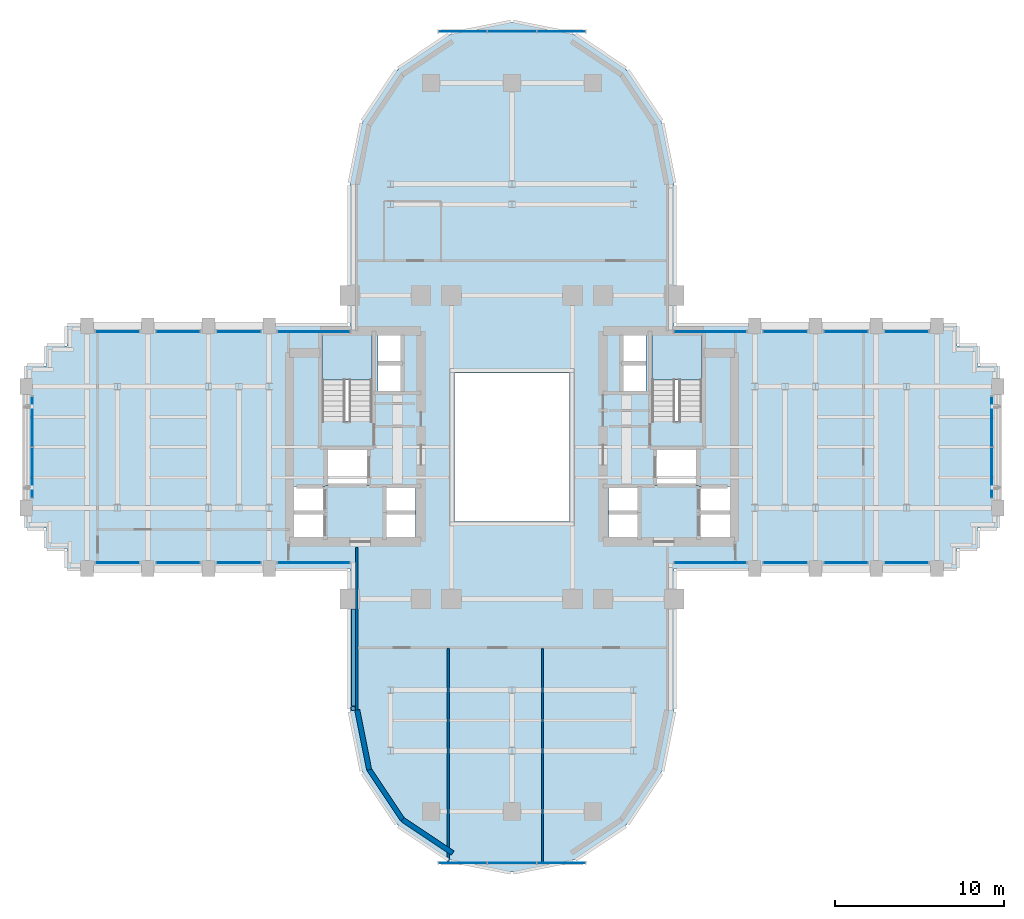
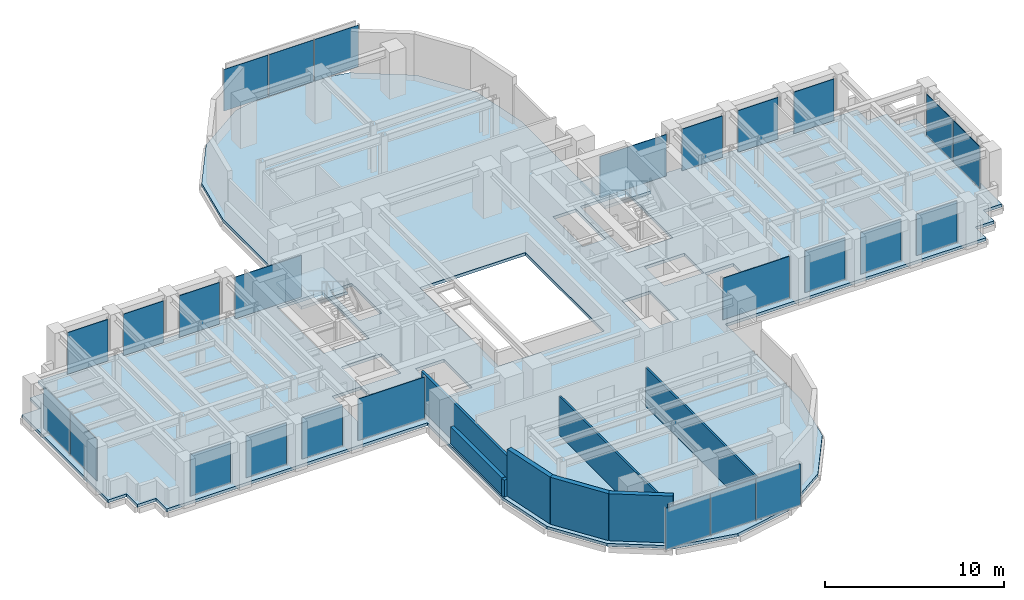
# One storey, part 9 of 16: 26 plates, 8 walls, 3 slabs, 22 elements without a shape of their own.
"""IFC4 building model written with IfcOpenShell, lengths in metres."""

from ifc_helpers import new_model, si_unit, direction, frame, frame_2d, origin, origin_2d, place, context, subcontext, project, spatial, polyline, rectangle, outline, extrude, source, transform, mapped, material, layer, layer_set, type_object, element, aggregate, save


model = new_model("IFC4")

# Units and contexts
model_context = context("Model", 3, precision=1e-05, world=origin(), true_north=direction((0.0, 1.0)))
body_context = subcontext(model_context, "Body", "Model", "MODEL_VIEW")
ifc_project = project(units=[si_unit("LENGTHUNIT", "METRE"), si_unit("AREAUNIT", "SQUARE_METRE"), si_unit("VOLUMEUNIT", "CUBIC_METRE"), si_unit("PLANEANGLEUNIT", "RADIAN"), si_unit("MASSUNIT", "GRAM", prefix="KILO")], contexts=[model_context])

# Site, building, storey
site_placement = place(None, origin())
site = spatial("IfcSite", under=ifc_project, at=site_placement, CompositionType="ELEMENT")
building_placement = place(site_placement, origin())
building = spatial("IfcBuilding", under=site, at=building_placement, Name="Keilestroom Media Tower", CompositionType="ELEMENT")
storey_placement = place(building_placement, frame((0.0, 0.0, 57.800048828125)))
storey = spatial("IfcBuildingStorey", under=building, at=storey_placement, Name="L14", CompositionType="ELEMENT", Elevation=57.800048828125)

# Slab
ifc_material_1 = material(Name="Concrete C50/60", Category="concrete")
ifc_layer_1 = layer(ifc_material_1, 0.199951171875)
ifc_layer_set_1 = layer_set([ifc_layer_1], Name="Concrete C50/60")
slab_type_1 = type_object("IfcSlabType", Name="Composite-Floor-Slab-200", PredefinedType="FLOOR", material=ifc_layer_set_1)
slab_1_placement = place(storey_placement, frame((0.0, 0.0, -0.199951171875)))
element("IfcSlab", 1, at=slab_1_placement, inside=storey, type_object=slab_type_1, Name="L14 Structural Composite Floor Slab", PredefinedType="FLOOR", context=body_context, shape_type="SweptSolid", body=[
    extrude(outline(polyline([(28.800048828125, -4.800048828125), (28.800048828125, 4.800048828125), (27.60009765625, 4.800048828125), (27.60009765625, 6.0), (26.39990234375, 6.0), (26.39990234375, 7.199951171875), (9.60009765625, 7.199951171875), (9.60009765625, 9.60009765625), (9.60009765625, 15.60009765625), (8.869140625, 19.273681640625), (6.7880859375, 22.38818359375), (3.673828125, 24.46923828125), (0.0, 25.199951171875), (-3.673828125, 24.46923828125), (-6.7880859375, 22.38818359375), (-8.869140625, 19.273681640625), (-9.60009765625, 15.60009765625), (-9.60009765625, 9.60009765625), (-9.60009765625, 7.199951171875), (-26.39990234375, 7.199951171875), (-26.39990234375, 6.0), (-27.60009765625, 6.0), (-27.60009765625, 4.800048828125), (-28.800048828125, 4.800048828125), (-28.800048828125, -4.800048828125), (-27.60009765625, -4.800048828125), (-27.60009765625, -6.0), (-26.39990234375, -6.0), (-26.39990234375, -7.199951171875), (-9.60009765625, -7.199951171875), (-9.60009765625, -9.60009765625), (-9.60009765625, -15.60009765625), (-8.869140625, -19.273681640625), (-6.7880859375, -22.38818359375), (-3.673828125, -24.46923828125), (0.0, -25.199951171875), (3.673828125, -24.46923828125), (6.7880859375, -22.38818359375), (8.869140625, -19.273681640625), (9.60009765625, -15.60009765625), (9.60009765625, -9.60009765625), (9.60009765625, -7.199951171875), (26.39990234375, -7.199951171875), (26.39990234375, -6.0), (27.60009765625, -6.0), (27.60009765625, -4.800048828125), (28.800048828125, -4.800048828125)]), holes=[polyline([(-12.919921875, -5.47998046875), (-12.919921875, -2.320068359375), (-11.080078125, -2.320068359375), (-11.080078125, -5.47998046875), (-12.919921875, -5.47998046875)]), polyline([(-11.260009765625, 1.544921875), (-11.260009765625, 6.760009765625), (-8.300048828125, 6.760009765625), (-8.300048828125, 1.544921875), (-11.260009765625, 1.544921875)]), polyline([(-11.050048828125, -2.280029296875), (-11.050048828125, -0.10009765625), (-8.47998046875, -0.10009765625), (-8.47998046875, -2.280029296875), (-11.050048828125, -2.280029296875)]), polyline([(-7.949951171875, 3.300048828125), (-7.949951171875, 6.64990234375), (-6.47998046875, 6.64990234375), (-6.47998046875, 3.300048828125), (-7.949951171875, 3.300048828125)]), polyline([(-7.56005859375, -5.47998046875), (-7.56005859375, -2.320068359375), (-5.719970703125, -2.320068359375), (-5.719970703125, -5.47998046875), (-7.56005859375, -5.47998046875)]), polyline([(-3.39990234375, -4.39990234375), (-3.39990234375, 4.39990234375), (3.39990234375, 4.39990234375), (3.39990234375, -4.39990234375), (-3.39990234375, -4.39990234375)]), polyline([(5.719970703125, -5.47998046875), (5.719970703125, -2.320068359375), (7.56005859375, -2.320068359375), (7.56005859375, -5.47998046875), (5.719970703125, -5.47998046875)]), polyline([(7.949951171875, 6.64990234375), (7.949951171875, 3.300048828125), (6.47998046875, 3.300048828125), (6.47998046875, 6.64990234375), (7.949951171875, 6.64990234375)]), polyline([(8.300048828125, 6.760009765625), (11.260009765625, 6.760009765625), (11.260009765625, 1.544921875), (8.300048828125, 1.544921875), (8.300048828125, 6.760009765625)]), polyline([(8.47998046875, -2.280029296875), (8.47998046875, -0.10009765625), (11.050048828125, -0.10009765625), (11.050048828125, -2.280029296875), (8.47998046875, -2.280029296875)]), polyline([(12.919921875, -5.47998046875), (11.080078125, -5.47998046875), (11.080078125, -2.320068359375), (12.919921875, -2.320068359375), (12.919921875, -5.47998046875)])]), origin(), (0.0, 0.0, 1.0), 0.199951171875),
])

# Stair, slab
ifc_material_2 = material(Name="Concrete C45/55", Category="concrete")
stair_type = type_object("IfcStairType", Name="Enclosed-Dog-Leg-Stair-ST-CORE", PredefinedType="HALF_TURN_STAIR", material=ifc_material_2)
stair_1_placement = place(storey_placement, origin())
stair_1 = element("IfcStair", 2, at=stair_1_placement, inside=storey, type_object=stair_type, Name="L14 West Core Escape Stair ST-1", PredefinedType="HALF_TURN_STAIR")
ifc_layer_2 = layer(ifc_material_2, 0.199951171875)
ifc_layer_set_2 = layer_set([ifc_layer_2], Name="Concrete C45/55")
slab_type_2 = type_object("IfcSlabType", Name="Stair-Intermediate-And-Top-Landing-Slab-200", PredefinedType="LANDING", material=ifc_layer_set_2)
slab_2_placement = place(storey_placement, frame((0.0, 0.0, 1.5)))
slab_2 = element("IfcSlab", 3, at=slab_2_placement, type_object=slab_type_2, Name="ST-1 landing 1", PredefinedType="LANDING", context=body_context, shape_type="SweptSolid", body=[
    extrude(outline(polyline([(-8.300048828125, 3.99609375), (-8.300048828125, 6.760009765625), (-11.260009765625, 6.760009765625), (-11.260009765625, 3.99609375), (-8.300048828125, 3.99609375)])), origin(), (0.0, 0.0, 1.0), 0.199951171875),
])
aggregate(stair_1, [slab_2])

stair_2_placement = place(storey_placement, origin())
stair_2 = element("IfcStair", 4, at=stair_2_placement, inside=storey, type_object=stair_type, Name="L14 East Core Escape Stair ST-2", PredefinedType="HALF_TURN_STAIR")
slab_3_placement = place(storey_placement, frame((0.0, 0.0, 1.5)))
slab_3 = element("IfcSlab", 5, at=slab_3_placement, type_object=slab_type_2, Name="ST-2 landing 1", PredefinedType="LANDING", context=body_context, shape_type="SweptSolid", body=[
    extrude(outline(polyline([(11.260009765625, 3.99609375), (11.260009765625, 6.760009765625), (8.300048828125, 6.760009765625), (8.300048828125, 3.99609375), (11.260009765625, 3.99609375)])), origin(), (0.0, 0.0, 1.0), 0.199951171875),
])
aggregate(stair_2, [slab_3])

# Curtain wall, plates
ifc_material_3 = material(Name="Anodised Aluminium Alloy", Category="aluminium")
curtain_wall_type_1 = type_object("IfcCurtainWallType", Name="Unitised-Curtain-Wall-CW-1", PredefinedType="NOTDEFINED", material=ifc_material_3)
curtain_wall_1_placement = place(storey_placement, origin())
curtain_wall_1 = element("IfcCurtainWall", 6, at=curtain_wall_1_placement, inside=storey, type_object=curtain_wall_type_1, Name="L14 Curtain Wall CW-1 CW-L14-W-1", PredefinedType="NOTDEFINED")
ifc_material_4 = material(Name="Double Glazed Low-E Unit", Category="glass")
ifc_layer_3 = layer(ifc_material_4, 0.0439453125)
ifc_layer_set_3 = layer_set([ifc_layer_3], Name="Double Glazed Low-E Unit")
plate_type_1 = type_object("IfcPlateType", Name="Insulated-Curtain-Wall-Glazing-Panel-CW-1", PredefinedType="CURTAIN_PANEL", material=ifc_layer_set_3)
shared_shape_1 = source(origin(), body_context, "Body", "SweptSolid", [
    extrude(rectangle(XDim=2.968017578125, YDim=0.0439453125, at=origin_2d()), origin(), (0.0, 0.0, 1.0), 2.833984375),
])
plate_1_placement = place(storey_placement, frame((-28.449951171875, -1.514892578125, 0.072998046875), z_axis=(0.0, 0.0, 1.0), x_axis=(0.0, 1.0, 0.0)))
plate_1 = element("IfcPlate", 7, at=plate_1_placement, type_object=plate_type_1, Name="CW-1 Unitised Glazing 00", PredefinedType="CURTAIN_PANEL", context=body_context, shape_type="MappedRepresentation", body=[
    mapped(shared_shape_1, transform((0.0, 0.0, 0.0), x_axis=(1.0, 0.0, 0.0), y_axis=(0.0, 1.0, 0.0), z_axis=(0.0, 0.0, 1.0), scale=1.0)),
])
plate_2_placement = place(storey_placement, frame((-28.449951171875, 1.514892578125, 0.072998046875), z_axis=(0.0, 0.0, 1.0), x_axis=(0.0, 1.0, 0.0)))
plate_2 = element("IfcPlate", 8, at=plate_2_placement, type_object=plate_type_1, Name="CW-1 Unitised Glazing 01", PredefinedType="CURTAIN_PANEL", context=body_context, shape_type="MappedRepresentation", body=[
    mapped(shared_shape_1, transform((0.0, 0.0, 0.0), x_axis=(1.0, 0.0, 0.0), y_axis=(0.0, 1.0, 0.0), z_axis=(0.0, 0.0, 1.0), scale=1.0)),
])
aggregate(curtain_wall_1, [plate_1, plate_2])

curtain_wall_2_placement = place(storey_placement, origin())
curtain_wall_2 = element("IfcCurtainWall", 9, at=curtain_wall_2_placement, inside=storey, type_object=curtain_wall_type_1, Name="L14 Curtain Wall CW-1 CW-L14-E-1", PredefinedType="NOTDEFINED")
plate_3_placement = place(storey_placement, frame((28.449951171875, -1.514892578125, 0.072998046875), z_axis=(0.0, 0.0, 1.0), x_axis=(0.0, 1.0, 0.0)))
plate_3 = element("IfcPlate", 10, at=plate_3_placement, type_object=plate_type_1, Name="CW-1 Unitised Glazing 00", PredefinedType="CURTAIN_PANEL", context=body_context, shape_type="MappedRepresentation", body=[
    mapped(shared_shape_1, transform((0.0, 0.0, 0.0), x_axis=(1.0, 0.0, 0.0), y_axis=(0.0, 1.0, 0.0), z_axis=(0.0, 0.0, 1.0), scale=1.0)),
])
plate_4_placement = place(storey_placement, frame((28.449951171875, 1.514892578125, 0.072998046875), z_axis=(0.0, 0.0, 1.0), x_axis=(0.0, 1.0, 0.0)))
plate_4 = element("IfcPlate", 11, at=plate_4_placement, type_object=plate_type_1, Name="CW-1 Unitised Glazing 01", PredefinedType="CURTAIN_PANEL", context=body_context, shape_type="MappedRepresentation", body=[
    mapped(shared_shape_1, transform((0.0, 0.0, 0.0), x_axis=(1.0, 0.0, 0.0), y_axis=(0.0, 1.0, 0.0), z_axis=(0.0, 0.0, 1.0), scale=1.0)),
])
aggregate(curtain_wall_2, [plate_3, plate_4])

# Curtain wall, plate
curtain_wall_3_placement = place(storey_placement, origin())
curtain_wall_3 = element("IfcCurtainWall", 12, at=curtain_wall_3_placement, inside=storey, type_object=curtain_wall_type_1, Name="L14 Curtain Wall CW-1 CW-L14-NW-1", PredefinedType="NOTDEFINED")
shared_shape_2 = source(origin(), body_context, "Body", "SweptSolid", [
    extrude(rectangle(XDim=2.597900390625, YDim=0.0439453125, at=origin_2d()), origin(), (0.0, 0.0, 1.0), 2.833984375),
])
plate_5_placement = place(storey_placement, frame((-23.39990234375, 6.85009765625, 0.072998046875), z_axis=(0.0, 0.0, 1.0), x_axis=(1.0, 0.0, 0.0)))
plate_5 = element("IfcPlate", 13, at=plate_5_placement, type_object=plate_type_1, Name="CW-1 Unitised Glazing 00", PredefinedType="CURTAIN_PANEL", context=body_context, shape_type="MappedRepresentation", body=[
    mapped(shared_shape_2, transform((0.0, 0.0, 0.0), x_axis=(1.0, 0.0, 0.0), y_axis=(0.0, 1.0, 0.0), z_axis=(0.0, 0.0, 1.0), scale=1.0)),
])
aggregate(curtain_wall_3, [plate_5])

curtain_wall_4_placement = place(storey_placement, origin())
curtain_wall_4 = element("IfcCurtainWall", 14, at=curtain_wall_4_placement, inside=storey, type_object=curtain_wall_type_1, Name="L14 Curtain Wall CW-1 CW-L14-NW-2", PredefinedType="NOTDEFINED")
plate_6_placement = place(storey_placement, frame((-19.800048828125, 6.85009765625, 0.072998046875), z_axis=(0.0, 0.0, 1.0), x_axis=(1.0, 0.0, 0.0)))
plate_6 = element("IfcPlate", 15, at=plate_6_placement, type_object=plate_type_1, Name="CW-1 Unitised Glazing 00", PredefinedType="CURTAIN_PANEL", context=body_context, shape_type="MappedRepresentation", body=[
    mapped(shared_shape_2, transform((0.0, 0.0, 0.0), x_axis=(1.0, 0.0, 0.0), y_axis=(0.0, 1.0, 0.0), z_axis=(0.0, 0.0, 1.0), scale=1.0)),
])
aggregate(curtain_wall_4, [plate_6])

curtain_wall_5_placement = place(storey_placement, origin())
curtain_wall_5 = element("IfcCurtainWall", 16, at=curtain_wall_5_placement, inside=storey, type_object=curtain_wall_type_1, Name="L14 Curtain Wall CW-1 CW-L14-NW-3", PredefinedType="NOTDEFINED")
plate_7_placement = place(storey_placement, frame((-16.199951171875, 6.85009765625, 0.072998046875), z_axis=(0.0, 0.0, 1.0), x_axis=(1.0, 0.0, 0.0)))
plate_7 = element("IfcPlate", 17, at=plate_7_placement, type_object=plate_type_1, Name="CW-1 Unitised Glazing 00", PredefinedType="CURTAIN_PANEL", context=body_context, shape_type="MappedRepresentation", body=[
    mapped(shared_shape_2, transform((0.0, 0.0, 0.0), x_axis=(1.0, 0.0, 0.0), y_axis=(0.0, 1.0, 0.0), z_axis=(0.0, 0.0, 1.0), scale=1.0)),
])
aggregate(curtain_wall_5, [plate_7])

curtain_wall_6_placement = place(storey_placement, origin())
curtain_wall_6 = element("IfcCurtainWall", 18, at=curtain_wall_6_placement, inside=storey, type_object=curtain_wall_type_1, Name="L14 Curtain Wall CW-1 CW-L14-NE-2", PredefinedType="NOTDEFINED")
plate_8_placement = place(storey_placement, frame((16.199951171875, 6.85009765625, 0.072998046875), z_axis=(0.0, 0.0, 1.0), x_axis=(1.0, 0.0, 0.0)))
plate_8 = element("IfcPlate", 19, at=plate_8_placement, type_object=plate_type_1, Name="CW-1 Unitised Glazing 00", PredefinedType="CURTAIN_PANEL", context=body_context, shape_type="MappedRepresentation", body=[
    mapped(shared_shape_2, transform((0.0, 0.0, 0.0), x_axis=(1.0, 0.0, 0.0), y_axis=(0.0, 1.0, 0.0), z_axis=(0.0, 0.0, 1.0), scale=1.0)),
])
aggregate(curtain_wall_6, [plate_8])

curtain_wall_7_placement = place(storey_placement, origin())
curtain_wall_7 = element("IfcCurtainWall", 20, at=curtain_wall_7_placement, inside=storey, type_object=curtain_wall_type_1, Name="L14 Curtain Wall CW-1 CW-L14-NE-3", PredefinedType="NOTDEFINED")
plate_9_placement = place(storey_placement, frame((19.800048828125, 6.85009765625, 0.072998046875), z_axis=(0.0, 0.0, 1.0), x_axis=(1.0, 0.0, 0.0)))
plate_9 = element("IfcPlate", 21, at=plate_9_placement, type_object=plate_type_1, Name="CW-1 Unitised Glazing 00", PredefinedType="CURTAIN_PANEL", context=body_context, shape_type="MappedRepresentation", body=[
    mapped(shared_shape_2, transform((0.0, 0.0, 0.0), x_axis=(1.0, 0.0, 0.0), y_axis=(0.0, 1.0, 0.0), z_axis=(0.0, 0.0, 1.0), scale=1.0)),
])
aggregate(curtain_wall_7, [plate_9])

curtain_wall_8_placement = place(storey_placement, origin())
curtain_wall_8 = element("IfcCurtainWall", 22, at=curtain_wall_8_placement, inside=storey, type_object=curtain_wall_type_1, Name="L14 Curtain Wall CW-1 CW-L14-NE-4", PredefinedType="NOTDEFINED")
plate_10_placement = place(storey_placement, frame((23.39990234375, 6.85009765625, 0.072998046875), z_axis=(0.0, 0.0, 1.0), x_axis=(1.0, 0.0, 0.0)))
plate_10 = element("IfcPlate", 23, at=plate_10_placement, type_object=plate_type_1, Name="CW-1 Unitised Glazing 00", PredefinedType="CURTAIN_PANEL", context=body_context, shape_type="MappedRepresentation", body=[
    mapped(shared_shape_2, transform((0.0, 0.0, 0.0), x_axis=(1.0, 0.0, 0.0), y_axis=(0.0, 1.0, 0.0), z_axis=(0.0, 0.0, 1.0), scale=1.0)),
])
aggregate(curtain_wall_8, [plate_10])

curtain_wall_9_placement = place(storey_placement, origin())
curtain_wall_9 = element("IfcCurtainWall", 24, at=curtain_wall_9_placement, inside=storey, type_object=curtain_wall_type_1, Name="L14 Curtain Wall CW-1 CW-L14-SW-1", PredefinedType="NOTDEFINED")
plate_11_placement = place(storey_placement, frame((-23.39990234375, -6.85009765625, 0.072998046875), z_axis=(0.0, 0.0, 1.0), x_axis=(1.0, 0.0, 0.0)))
plate_11 = element("IfcPlate", 25, at=plate_11_placement, type_object=plate_type_1, Name="CW-1 Unitised Glazing 00", PredefinedType="CURTAIN_PANEL", context=body_context, shape_type="MappedRepresentation", body=[
    mapped(shared_shape_2, transform((0.0, 0.0, 0.0), x_axis=(1.0, 0.0, 0.0), y_axis=(0.0, 1.0, 0.0), z_axis=(0.0, 0.0, 1.0), scale=1.0)),
])
aggregate(curtain_wall_9, [plate_11])

curtain_wall_10_placement = place(storey_placement, origin())
curtain_wall_10 = element("IfcCurtainWall", 26, at=curtain_wall_10_placement, inside=storey, type_object=curtain_wall_type_1, Name="L14 Curtain Wall CW-1 CW-L14-SW-2", PredefinedType="NOTDEFINED")
plate_12_placement = place(storey_placement, frame((-19.800048828125, -6.85009765625, 0.072998046875), z_axis=(0.0, 0.0, 1.0), x_axis=(1.0, 0.0, 0.0)))
plate_12 = element("IfcPlate", 27, at=plate_12_placement, type_object=plate_type_1, Name="CW-1 Unitised Glazing 00", PredefinedType="CURTAIN_PANEL", context=body_context, shape_type="MappedRepresentation", body=[
    mapped(shared_shape_2, transform((0.0, 0.0, 0.0), x_axis=(1.0, 0.0, 0.0), y_axis=(0.0, 1.0, 0.0), z_axis=(0.0, 0.0, 1.0), scale=1.0)),
])
aggregate(curtain_wall_10, [plate_12])

curtain_wall_11_placement = place(storey_placement, origin())
curtain_wall_11 = element("IfcCurtainWall", 28, at=curtain_wall_11_placement, inside=storey, type_object=curtain_wall_type_1, Name="L14 Curtain Wall CW-1 CW-L14-SW-3", PredefinedType="NOTDEFINED")
plate_13_placement = place(storey_placement, frame((-16.199951171875, -6.85009765625, 0.072998046875), z_axis=(0.0, 0.0, 1.0), x_axis=(1.0, 0.0, 0.0)))
plate_13 = element("IfcPlate", 29, at=plate_13_placement, type_object=plate_type_1, Name="CW-1 Unitised Glazing 00", PredefinedType="CURTAIN_PANEL", context=body_context, shape_type="MappedRepresentation", body=[
    mapped(shared_shape_2, transform((0.0, 0.0, 0.0), x_axis=(1.0, 0.0, 0.0), y_axis=(0.0, 1.0, 0.0), z_axis=(0.0, 0.0, 1.0), scale=1.0)),
])
aggregate(curtain_wall_11, [plate_13])

curtain_wall_12_placement = place(storey_placement, origin())
curtain_wall_12 = element("IfcCurtainWall", 30, at=curtain_wall_12_placement, inside=storey, type_object=curtain_wall_type_1, Name="L14 Curtain Wall CW-1 CW-L14-SE-2", PredefinedType="NOTDEFINED")
plate_14_placement = place(storey_placement, frame((16.199951171875, -6.85009765625, 0.072998046875), z_axis=(0.0, 0.0, 1.0), x_axis=(1.0, 0.0, 0.0)))
plate_14 = element("IfcPlate", 31, at=plate_14_placement, type_object=plate_type_1, Name="CW-1 Unitised Glazing 00", PredefinedType="CURTAIN_PANEL", context=body_context, shape_type="MappedRepresentation", body=[
    mapped(shared_shape_2, transform((0.0, 0.0, 0.0), x_axis=(1.0, 0.0, 0.0), y_axis=(0.0, 1.0, 0.0), z_axis=(0.0, 0.0, 1.0), scale=1.0)),
])
aggregate(curtain_wall_12, [plate_14])

curtain_wall_13_placement = place(storey_placement, origin())
curtain_wall_13 = element("IfcCurtainWall", 32, at=curtain_wall_13_placement, inside=storey, type_object=curtain_wall_type_1, Name="L14 Curtain Wall CW-1 CW-L14-SE-3", PredefinedType="NOTDEFINED")
plate_15_placement = place(storey_placement, frame((19.800048828125, -6.85009765625, 0.072998046875), z_axis=(0.0, 0.0, 1.0), x_axis=(1.0, 0.0, 0.0)))
plate_15 = element("IfcPlate", 33, at=plate_15_placement, type_object=plate_type_1, Name="CW-1 Unitised Glazing 00", PredefinedType="CURTAIN_PANEL", context=body_context, shape_type="MappedRepresentation", body=[
    mapped(shared_shape_2, transform((0.0, 0.0, 0.0), x_axis=(1.0, 0.0, 0.0), y_axis=(0.0, 1.0, 0.0), z_axis=(0.0, 0.0, 1.0), scale=1.0)),
])
aggregate(curtain_wall_13, [plate_15])

curtain_wall_14_placement = place(storey_placement, origin())
curtain_wall_14 = element("IfcCurtainWall", 34, at=curtain_wall_14_placement, inside=storey, type_object=curtain_wall_type_1, Name="L14 Curtain Wall CW-1 CW-L14-SE-4", PredefinedType="NOTDEFINED")
plate_16_placement = place(storey_placement, frame((23.39990234375, -6.85009765625, 0.072998046875), z_axis=(0.0, 0.0, 1.0), x_axis=(1.0, 0.0, 0.0)))
plate_16 = element("IfcPlate", 35, at=plate_16_placement, type_object=plate_type_1, Name="CW-1 Unitised Glazing 00", PredefinedType="CURTAIN_PANEL", context=body_context, shape_type="MappedRepresentation", body=[
    mapped(shared_shape_2, transform((0.0, 0.0, 0.0), x_axis=(1.0, 0.0, 0.0), y_axis=(0.0, 1.0, 0.0), z_axis=(0.0, 0.0, 1.0), scale=1.0)),
])
aggregate(curtain_wall_14, [plate_16])

curtain_wall_15_placement = place(storey_placement, origin())
curtain_wall_15 = element("IfcCurtainWall", 36, at=curtain_wall_15_placement, inside=storey, type_object=curtain_wall_type_1, Name="L14 Curtain Wall CW-1 CW-L14-NW-4", PredefinedType="NOTDEFINED")
shared_shape_3 = source(origin(), body_context, "Body", "SweptSolid", [
    extrude(rectangle(XDim=4.282958984375, YDim=0.0439453125, at=origin_2d()), origin(), (0.0, 0.0, 1.0), 2.833984375),
])
plate_17_placement = place(storey_placement, frame((-11.757568359375, 6.85009765625, 0.072998046875), z_axis=(0.0, 0.0, 1.0), x_axis=(1.0, 0.0, 0.0)))
plate_17 = element("IfcPlate", 37, at=plate_17_placement, type_object=plate_type_1, Name="CW-1 Unitised Glazing 00", PredefinedType="CURTAIN_PANEL", context=body_context, shape_type="MappedRepresentation", body=[
    mapped(shared_shape_3, transform((0.0, 0.0, 0.0), x_axis=(1.0, 0.0, 0.0), y_axis=(0.0, 1.0, 0.0), z_axis=(0.0, 0.0, 1.0), scale=1.0)),
])
aggregate(curtain_wall_15, [plate_17])

curtain_wall_16_placement = place(storey_placement, origin())
curtain_wall_16 = element("IfcCurtainWall", 38, at=curtain_wall_16_placement, inside=storey, type_object=curtain_wall_type_1, Name="L14 Curtain Wall CW-1 CW-L14-NE-1", PredefinedType="NOTDEFINED")
plate_18_placement = place(storey_placement, frame((11.757568359375, 6.85009765625, 0.072998046875), z_axis=(0.0, 0.0, 1.0), x_axis=(1.0, 0.0, 0.0)))
plate_18 = element("IfcPlate", 39, at=plate_18_placement, type_object=plate_type_1, Name="CW-1 Unitised Glazing 00", PredefinedType="CURTAIN_PANEL", context=body_context, shape_type="MappedRepresentation", body=[
    mapped(shared_shape_3, transform((0.0, 0.0, 0.0), x_axis=(1.0, 0.0, 0.0), y_axis=(0.0, 1.0, 0.0), z_axis=(0.0, 0.0, 1.0), scale=1.0)),
])
aggregate(curtain_wall_16, [plate_18])

curtain_wall_17_placement = place(storey_placement, origin())
curtain_wall_17 = element("IfcCurtainWall", 40, at=curtain_wall_17_placement, inside=storey, type_object=curtain_wall_type_1, Name="L14 Curtain Wall CW-1 CW-L14-SW-4", PredefinedType="NOTDEFINED")
plate_19_placement = place(storey_placement, frame((-11.757568359375, -6.85009765625, 0.072998046875), z_axis=(0.0, 0.0, 1.0), x_axis=(1.0, 0.0, 0.0)))
plate_19 = element("IfcPlate", 41, at=plate_19_placement, type_object=plate_type_1, Name="CW-1 Unitised Glazing 00", PredefinedType="CURTAIN_PANEL", context=body_context, shape_type="MappedRepresentation", body=[
    mapped(shared_shape_3, transform((0.0, 0.0, 0.0), x_axis=(1.0, 0.0, 0.0), y_axis=(0.0, 1.0, 0.0), z_axis=(0.0, 0.0, 1.0), scale=1.0)),
])
aggregate(curtain_wall_17, [plate_19])

curtain_wall_18_placement = place(storey_placement, origin())
curtain_wall_18 = element("IfcCurtainWall", 42, at=curtain_wall_18_placement, inside=storey, type_object=curtain_wall_type_1, Name="L14 Curtain Wall CW-1 CW-L14-SE-1", PredefinedType="NOTDEFINED")
plate_20_placement = place(storey_placement, frame((11.757568359375, -6.85009765625, 0.072998046875), z_axis=(0.0, 0.0, 1.0), x_axis=(1.0, 0.0, 0.0)))
plate_20 = element("IfcPlate", 43, at=plate_20_placement, type_object=plate_type_1, Name="CW-1 Unitised Glazing 00", PredefinedType="CURTAIN_PANEL", context=body_context, shape_type="MappedRepresentation", body=[
    mapped(shared_shape_3, transform((0.0, 0.0, 0.0), x_axis=(1.0, 0.0, 0.0), y_axis=(0.0, 1.0, 0.0), z_axis=(0.0, 0.0, 1.0), scale=1.0)),
])
aggregate(curtain_wall_18, [plate_20])

# Curtain wall, plates
curtain_wall_type_2 = type_object("IfcCurtainWallType", Name="Unitised-Curtain-Wall-CW-6", PredefinedType="NOTDEFINED", material=ifc_material_3)
curtain_wall_19_placement = place(storey_placement, origin())
curtain_wall_19 = element("IfcCurtainWall", 44, at=curtain_wall_19_placement, inside=storey, type_object=curtain_wall_type_2, Name="L14 Curtain Wall CW-6 CW-L14-LN-1", PredefinedType="NOTDEFINED")
ifc_material_5 = material(Name="Curved-Facet Triple Glazed Unit", Category="glass")
ifc_layer_4 = layer(ifc_material_5, 0.033935546875)
ifc_layer_set_4 = layer_set([ifc_layer_4], Name="Curved-Facet Triple Glazed Unit")
plate_type_2 = type_object("IfcPlateType", Name="Insulated-Curtain-Wall-Glazing-Panel-CW-6", PredefinedType="CURTAIN_PANEL", material=ifc_layer_set_4)
shared_shape_4 = source(origin(), body_context, "Body", "SweptSolid", [
    extrude(rectangle(XDim=2.84375, YDim=0.033935546875, at=origin_2d()), origin(), (0.0, 0.0, 1.0), 2.833984375),
])
plate_21_placement = place(storey_placement, frame((-2.9169921875, 24.64990234375, 0.072998046875), z_axis=(0.0, 0.0, 1.0), x_axis=(1.0, 0.0, 0.0)))
plate_21 = element("IfcPlate", 45, at=plate_21_placement, type_object=plate_type_2, Name="CW-6 Unitised Glazing 00", PredefinedType="CURTAIN_PANEL", context=body_context, shape_type="MappedRepresentation", body=[
    mapped(shared_shape_4, transform((0.0, 0.0, 0.0), x_axis=(1.0, 0.0, 0.0), y_axis=(0.0, 1.0, 0.0), z_axis=(0.0, 0.0, 1.0), scale=1.0)),
])
plate_22_placement = place(storey_placement, frame((2.9169921875, 24.64990234375, 0.072998046875), z_axis=(0.0, 0.0, 1.0), x_axis=(1.0, 0.0, 0.0)))
plate_22 = element("IfcPlate", 46, at=plate_22_placement, type_object=plate_type_2, Name="CW-6 Unitised Glazing 02", PredefinedType="CURTAIN_PANEL", context=body_context, shape_type="MappedRepresentation", body=[
    mapped(shared_shape_4, transform((0.0, 0.0, 0.0), x_axis=(1.0, 0.0, 0.0), y_axis=(0.0, 1.0, 0.0), z_axis=(0.0, 0.0, 1.0), scale=1.0)),
])

curtain_wall_20_placement = place(storey_placement, origin())
curtain_wall_20 = element("IfcCurtainWall", 47, at=curtain_wall_20_placement, inside=storey, type_object=curtain_wall_type_2, Name="L14 Curtain Wall CW-6 CW-L14-LS-1", PredefinedType="NOTDEFINED")
plate_23_placement = place(storey_placement, frame((-2.9169921875, -24.64990234375, 0.072998046875), z_axis=(0.0, 0.0, 1.0), x_axis=(1.0, 0.0, 0.0)))
plate_23 = element("IfcPlate", 48, at=plate_23_placement, type_object=plate_type_2, Name="CW-6 Unitised Glazing 00", PredefinedType="CURTAIN_PANEL", context=body_context, shape_type="MappedRepresentation", body=[
    mapped(shared_shape_4, transform((0.0, 0.0, 0.0), x_axis=(1.0, 0.0, 0.0), y_axis=(0.0, 1.0, 0.0), z_axis=(0.0, 0.0, 1.0), scale=1.0)),
])
plate_24_placement = place(storey_placement, frame((2.9169921875, -24.64990234375, 0.072998046875), z_axis=(0.0, 0.0, 1.0), x_axis=(1.0, 0.0, 0.0)))
plate_24 = element("IfcPlate", 49, at=plate_24_placement, type_object=plate_type_2, Name="CW-6 Unitised Glazing 02", PredefinedType="CURTAIN_PANEL", context=body_context, shape_type="MappedRepresentation", body=[
    mapped(shared_shape_4, transform((0.0, 0.0, 0.0), x_axis=(1.0, 0.0, 0.0), y_axis=(0.0, 1.0, 0.0), z_axis=(0.0, 0.0, 1.0), scale=1.0)),
])

# Plate
shared_shape_5 = source(origin(), body_context, "Body", "SweptSolid", [
    extrude(rectangle(XDim=2.876220703125, YDim=0.033935546875, at=origin_2d()), origin(), (0.0, 0.0, 1.0), 2.833984375),
])
plate_25_placement = place(storey_placement, frame((0.0, 24.64990234375, 0.072998046875), z_axis=(0.0, 0.0, 1.0), x_axis=(1.0, 0.0, 0.0)))
plate_25 = element("IfcPlate", 50, at=plate_25_placement, type_object=plate_type_2, Name="CW-6 Unitised Glazing 01", PredefinedType="CURTAIN_PANEL", context=body_context, shape_type="MappedRepresentation", body=[
    mapped(shared_shape_5, transform((0.0, 0.0, 0.0), x_axis=(1.0, 0.0, 0.0), y_axis=(0.0, 1.0, 0.0), z_axis=(0.0, 0.0, 1.0), scale=1.0)),
])

aggregate(curtain_wall_19, [plate_21, plate_25, plate_22])

plate_26_placement = place(storey_placement, frame((0.0, -24.64990234375, 0.072998046875), z_axis=(0.0, 0.0, 1.0), x_axis=(1.0, 0.0, 0.0)))
plate_26 = element("IfcPlate", 51, at=plate_26_placement, type_object=plate_type_2, Name="CW-6 Unitised Glazing 01", PredefinedType="CURTAIN_PANEL", context=body_context, shape_type="MappedRepresentation", body=[
    mapped(shared_shape_5, transform((0.0, 0.0, 0.0), x_axis=(1.0, 0.0, 0.0), y_axis=(0.0, 1.0, 0.0), z_axis=(0.0, 0.0, 1.0), scale=1.0)),
])

aggregate(curtain_wall_20, [plate_23, plate_26, plate_24])

# Walls
ifc_material_6 = material(Name="Precast concrete C40/50", Category="concrete")
ifc_layer_5 = layer(ifc_material_6, 0.300048828125)
ifc_layer_set_5 = layer_set([ifc_layer_5], Name="Precast concrete C40/50")
wall_type_1 = type_object("IfcWallType", Name="Exterior-Masonry-Spandrel-Wall-300", PredefinedType="SOLIDWALL", material=ifc_layer_set_5)
for number, where, z_axis, x_axis, name in (
    (52, (-9.1748046875, -15.585205078125, 0.0), (0.0, 0.0, 1.0), (0.195114232679, -0.980780523974, 0.0), "L14 Lobe Facet Precast Frame Wall 07"),
    (53, (-8.48193359375, -19.097412109375, 0.0), (0.0, 0.0, 1.0), (0.555574187116, -0.831466970246, 0.0), "L14 Lobe Facet Precast Frame Wall 08"),
):
    element("IfcWall", number, at=place(storey_placement, frame(where, z_axis=z_axis, x_axis=x_axis)), inside=storey, type_object=wall_type_1, Name=name, PredefinedType="SOLIDWALL", context=body_context, shape_type="SweptSolid", body=[
        extrude(rectangle(XDim=3.608642578125, YDim=0.300048828125, at=frame_2d((1.80419921875, 0.0))), origin(), (0.0, 0.0, 1.0), 3.199951171875),
    ])
wall_1_placement = place(storey_placement, frame((-6.497802734375, -22.0771484375, 0.0), z_axis=(0.0, 0.0, 1.0), x_axis=(0.8314749531, -0.555562239868, 0.0)))
element("IfcWall", 54, at=wall_1_placement, inside=storey, type_object=wall_type_1, Name="L14 Lobe Facet Precast Frame Wall 09", PredefinedType="SOLIDWALL", context=body_context, shape_type="SweptSolid", body=[
    extrude(rectangle(XDim=3.59326171875, YDim=0.300048828125, at=frame_2d((1.796630859375, 0.0))), origin(), (0.0, 0.0, 1.0), 3.199951171875),
])
ifc_material_7 = material(Name="Gypsum Plasterboard & Steel Stud", Category="steel")
ifc_layer_6 = layer(ifc_material_7, 0.1201171875)
ifc_layer_set_6 = layer_set([ifc_layer_6], Name="Gypsum Plasterboard & Steel Stud")
wall_type_2 = type_object("IfcWallType", Name="Interior-Partition-Wall-120", PredefinedType="PARTITIONING", material=ifc_layer_set_6)
for number, where, z_axis, x_axis, name in (
    (55, (-3.780029296875, -24.64990234375, 0.0), (0.0, 0.0, 1.0), (0.0, 1.0, 0.0), "L14 Interior Wall WP-L14-SL-V1"),
    (56, (1.800048828125, -24.64990234375, 0.0), (0.0, 0.0, 1.0), (0.0, 1.0, 0.0), "L14 Interior Wall WP-L14-SL-V2"),
):
    element("IfcWall", number, at=place(storey_placement, frame(where, z_axis=z_axis, x_axis=x_axis)), inside=storey, type_object=wall_type_2, Name=name, PredefinedType="PARTITIONING", context=body_context, shape_type="SweptSolid", body=[
        extrude(rectangle(XDim=12.75, YDim=0.1201171875, at=frame_2d((6.375, 0.0))), origin(), (0.0, 0.0, 1.0), 2.64990234375),
    ])
ifc_layer_7 = layer(ifc_material_7, 0.14990234375)
ifc_layer_set_7 = layer_set([ifc_layer_7], Name="Gypsum Plasterboard & Steel Stud")
wall_type_3 = type_object("IfcWallType", Name="Interior-Partition-Wall-150", PredefinedType="PARTITIONING", material=ifc_layer_set_7)
wall_2_placement = place(storey_placement, frame((-9.199951171875, -15.679931640625, 0.0), z_axis=(0.0, 0.0, 1.0), x_axis=(0.0, 1.0, 0.0)))
element("IfcWall", 57, at=wall_2_placement, inside=storey, type_object=wall_type_3, Name="L14 Interior Wall WP-L14-SL-CHKW", PredefinedType="PARTITIONING", context=body_context, shape_type="SweptSolid", body=[
    extrude(rectangle(XDim=9.739990234375, YDim=0.14990234375, at=frame_2d((4.8701171875, 0.0))), origin(), (0.0, 0.0, 1.0), 2.64990234375),
])
ifc_layer_8 = layer(ifc_material_6, 0.239990234375)
ifc_layer_set_8 = layer_set([ifc_layer_8], Name="Precast concrete C40/50")
wall_type_4 = type_object("IfcWallType", Name="Roof-And-Terrace-Parapet-Wall-240", PredefinedType="PARAPET", material=ifc_layer_set_8)
wall_3_placement = place(storey_placement, frame((-9.395263671875, -15.604248046875, 0.0), z_axis=(0.0, 0.0, 1.0), x_axis=(-0.194652052864, 0.980872355771, 0.0)))
element("IfcWall", 58, at=wall_3_placement, inside=storey, type_object=wall_type_4, Name="L14 Perimeter Edge Parapet Wall 09", PredefinedType="PARAPET", context=body_context, shape_type="SweptSolid", body=[
    extrude(rectangle(XDim=0.224609375, YDim=0.239990234375, at=frame_2d((0.1123046875, 0.0))), origin(), (0.0, 0.0, 1.0), 1.14990234375),
])
wall_4_placement = place(storey_placement, frame((-9.39990234375, -15.357666015625, 0.0), z_axis=(0.0, 0.0, 1.0), x_axis=(0.0, 1.0, 0.0)))
element("IfcWall", 59, at=wall_4_placement, inside=storey, type_object=wall_type_4, Name="L14 Perimeter Edge Parapet Wall 10", PredefinedType="PARAPET", context=body_context, shape_type="SweptSolid", body=[
    extrude(rectangle(XDim=5.754638671875, YDim=0.239990234375, at=frame_2d((2.87744140625, 0.0))), origin(), (0.0, 0.0, 1.0), 1.14990234375),
])

save(model, "model.ifc")
